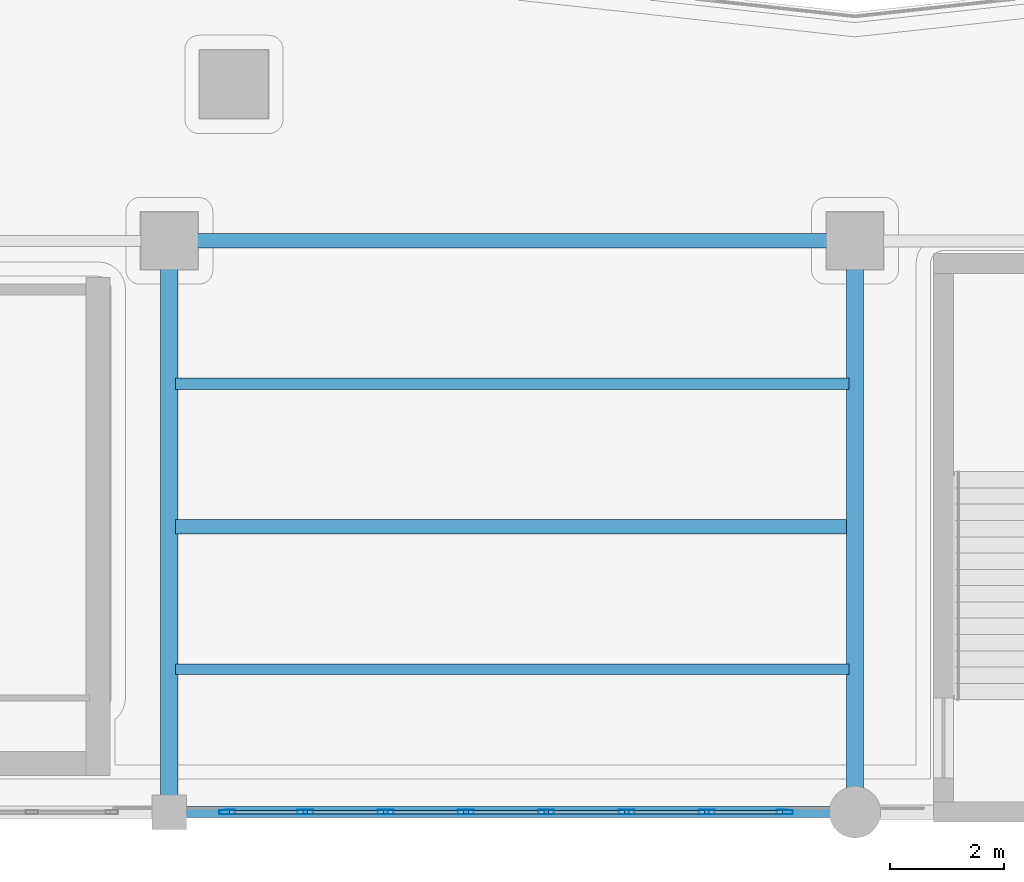
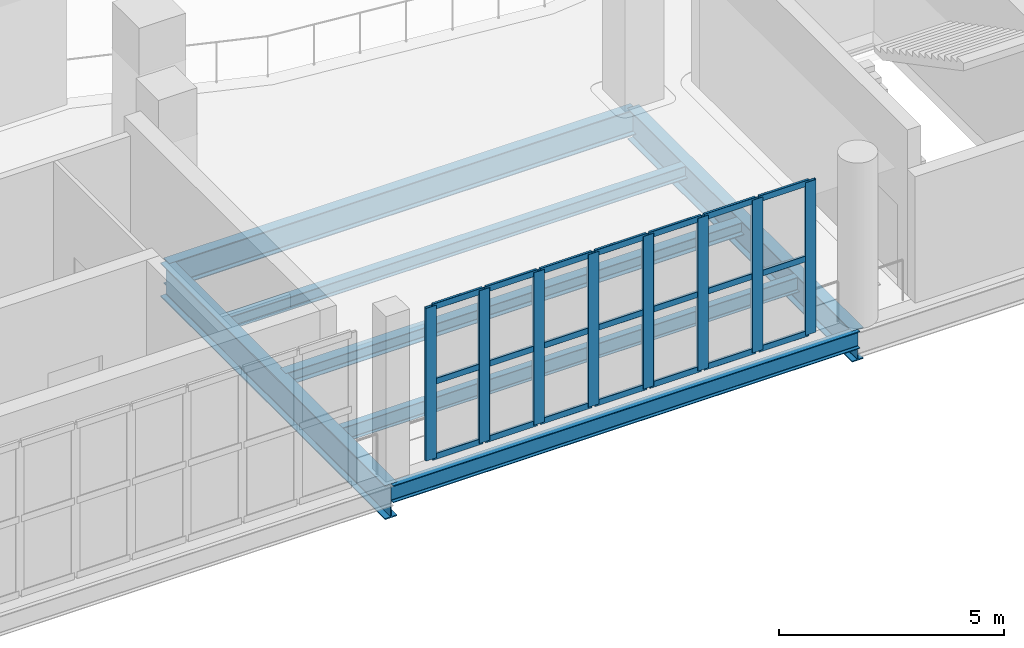
# One storey, part 32 of 108: 29 members, 7 beams, 1 element without a shape of its own.
"""IFC4 building model written with IfcOpenShell, lengths in metres."""

from ifc_helpers import new_model, si_unit, direction, frame, origin, origin_2d, place, context, subcontext, project, spatial, hollow_rectangle, i_section, extrude, material, layer, layer_set, material_profile, profile_set, type_object, element, aggregate, save


model = new_model("IFC4")

# Units and contexts
model_context = context("Model", 3, precision=1e-05, world=origin(), true_north=direction((0.0, 1.0)))
body_context = subcontext(model_context, "Body", "Model", "MODEL_VIEW")
ifc_project = project(units=[si_unit("LENGTHUNIT", "METRE"), si_unit("AREAUNIT", "SQUARE_METRE"), si_unit("VOLUMEUNIT", "CUBIC_METRE"), si_unit("PLANEANGLEUNIT", "RADIAN"), si_unit("MASSUNIT", "GRAM", prefix="KILO")], contexts=[model_context])

# Site, building, storey
site_placement = place(None, origin())
site = spatial("IfcSite", under=ifc_project, at=site_placement, CompositionType="ELEMENT")
building_placement = place(site_placement, origin())
building = spatial("IfcBuilding", under=site, at=building_placement, Name="Brinegate Civic Arena", CompositionType="ELEMENT")
storey_placement = place(building_placement, frame((0.0, 0.0, 10.199951171875)))
storey = spatial("IfcBuildingStorey", under=building, at=storey_placement, Name="L02", CompositionType="ELEMENT", Elevation=10.199951171875)

# Curtain wall, members
ifc_material_1 = material(Name="Marine grade aluminium", Category="aluminium")
ifc_layer = layer(ifc_material_1, 0.25, Name="Marine grade aluminium")
ifc_layer_set = layer_set([ifc_layer], Name="Marine grade aluminium")
curtain_wall_type = type_object("IfcCurtainWallType", Name="CW-PORTAL-SOUTH-02", PredefinedType="USERDEFINED", material=ifc_layer_set)
curtain_wall_placement = place(storey_placement, origin())
curtain_wall = element("IfcCurtainWall", 1, at=curtain_wall_placement, inside=storey, type_object=curtain_wall_type, Name="Curtain Wall CWA-099", ObjectType="PORTAL CURTAIN WALL", PredefinedType="USERDEFINED")
ifc_material_profile_1 = material_profile(ifc_material_1, hollow_rectangle(XDim=0.080078125, YDim=0.280029296875, WallThickness=0.007080078125, InnerFilletRadius=0.0048828125, OuterFilletRadius=0.010009765625, at=origin_2d()), Name="MUL80X280")
ifc_profile_set_1 = profile_set([ifc_material_profile_1], Name="Marine grade aluminium")
member_type_1 = type_object("IfcMemberType", Name="CW-MULLION-80X280", PredefinedType="MULLION", material=ifc_profile_set_1)
member_1_placement = place(storey_placement, frame((97.013916015625, 0.0, 0.0), z_axis=(0.0, 0.0, 1.0), x_axis=(0.0, 1.0, 0.0)))
member_1 = element("IfcMember", 2, at=member_1_placement, type_object=member_type_1, Name="CWA-099 mullion 1", PredefinedType="MULLION", context=body_context, shape_type="SweptSolid", body=[
    extrude(hollow_rectangle(XDim=0.080078125, YDim=0.280029296875, WallThickness=0.007080078125, InnerFilletRadius=0.0048828125, OuterFilletRadius=0.010009765625, at=origin_2d()), origin(), (0.0, 0.0, 1.0), 4.150146484375),
])
member_2_placement = place(storey_placement, frame((98.379638671875, 0.0, 0.0), z_axis=(0.0, 0.0, 1.0), x_axis=(0.0, 1.0, 0.0)))
member_2 = element("IfcMember", 3, at=member_2_placement, type_object=member_type_1, Name="CWA-099 mullion 2", PredefinedType="MULLION", context=body_context, shape_type="SweptSolid", body=[
    extrude(hollow_rectangle(XDim=0.080078125, YDim=0.280029296875, WallThickness=0.007080078125, InnerFilletRadius=0.0048828125, OuterFilletRadius=0.010009765625, at=origin_2d()), origin(), (0.0, 0.0, 1.0), 4.150146484375),
])
member_3_placement = place(storey_placement, frame((99.785400390625, 0.0, 0.0), z_axis=(0.0, 0.0, 1.0), x_axis=(0.0, 1.0, 0.0)))
member_3 = element("IfcMember", 4, at=member_3_placement, type_object=member_type_1, Name="CWA-099 mullion 3", PredefinedType="MULLION", context=body_context, shape_type="SweptSolid", body=[
    extrude(hollow_rectangle(XDim=0.080078125, YDim=0.280029296875, WallThickness=0.007080078125, InnerFilletRadius=0.0048828125, OuterFilletRadius=0.010009765625, at=origin_2d()), origin(), (0.0, 0.0, 1.0), 4.150146484375),
])
member_4_placement = place(storey_placement, frame((101.191162109375, 0.0, 0.0), z_axis=(0.0, 0.0, 1.0), x_axis=(0.0, 1.0, 0.0)))
member_4 = element("IfcMember", 5, at=member_4_placement, type_object=member_type_1, Name="CWA-099 mullion 4", PredefinedType="MULLION", context=body_context, shape_type="SweptSolid", body=[
    extrude(hollow_rectangle(XDim=0.080078125, YDim=0.280029296875, WallThickness=0.007080078125, InnerFilletRadius=0.0048828125, OuterFilletRadius=0.010009765625, at=origin_2d()), origin(), (0.0, 0.0, 1.0), 4.150146484375),
])
member_5_placement = place(storey_placement, frame((102.596923828125, 0.0, 0.0), z_axis=(0.0, 0.0, 1.0), x_axis=(0.0, 1.0, 0.0)))
member_5 = element("IfcMember", 6, at=member_5_placement, type_object=member_type_1, Name="CWA-099 mullion 5", PredefinedType="MULLION", context=body_context, shape_type="SweptSolid", body=[
    extrude(hollow_rectangle(XDim=0.080078125, YDim=0.280029296875, WallThickness=0.007080078125, InnerFilletRadius=0.0048828125, OuterFilletRadius=0.010009765625, at=origin_2d()), origin(), (0.0, 0.0, 1.0), 4.150146484375),
])
member_6_placement = place(storey_placement, frame((104.002685546875, 0.0, 0.0), z_axis=(0.0, 0.0, 1.0), x_axis=(0.0, 1.0, 0.0)))
member_6 = element("IfcMember", 7, at=member_6_placement, type_object=member_type_1, Name="CWA-099 mullion 6", PredefinedType="MULLION", context=body_context, shape_type="SweptSolid", body=[
    extrude(hollow_rectangle(XDim=0.080078125, YDim=0.280029296875, WallThickness=0.007080078125, InnerFilletRadius=0.0048828125, OuterFilletRadius=0.010009765625, at=origin_2d()), origin(), (0.0, 0.0, 1.0), 4.150146484375),
])
member_7_placement = place(storey_placement, frame((105.408203125, 0.0, 0.0), z_axis=(0.0, 0.0, 1.0), x_axis=(0.0, 1.0, 0.0)))
member_7 = element("IfcMember", 8, at=member_7_placement, type_object=member_type_1, Name="CWA-099 mullion 7", PredefinedType="MULLION", context=body_context, shape_type="SweptSolid", body=[
    extrude(hollow_rectangle(XDim=0.080078125, YDim=0.280029296875, WallThickness=0.007080078125, InnerFilletRadius=0.0048828125, OuterFilletRadius=0.010009765625, at=origin_2d()), origin(), (0.0, 0.0, 1.0), 4.150146484375),
])
member_8_placement = place(storey_placement, frame((106.77392578125, 0.0, 0.0), z_axis=(0.0, 0.0, 1.0), x_axis=(0.0, 1.0, 0.0)))
member_8 = element("IfcMember", 9, at=member_8_placement, type_object=member_type_1, Name="CWA-099 mullion 8", PredefinedType="MULLION", context=body_context, shape_type="SweptSolid", body=[
    extrude(hollow_rectangle(XDim=0.080078125, YDim=0.280029296875, WallThickness=0.007080078125, InnerFilletRadius=0.0048828125, OuterFilletRadius=0.010009765625, at=origin_2d()), origin(), (0.0, 0.0, 1.0), 4.150146484375),
])
ifc_material_profile_2 = material_profile(ifc_material_1, hollow_rectangle(XDim=0.06494140625, YDim=0.1650390625, WallThickness=0.0048828125, InnerFilletRadius=0.00390625, OuterFilletRadius=0.008056640625, at=origin_2d()), Name="TRN65X165")
ifc_profile_set_2 = profile_set([ifc_material_profile_2], Name="Marine grade aluminium")
member_type_2 = type_object("IfcMemberType", Name="CW-TRANSOM-65X165", PredefinedType="USERDEFINED", material=ifc_profile_set_2)
member_9_placement = place(storey_placement, frame((97.053955078125, 0.0, 0.032470703125), z_axis=(1.0, 0.0, 0.0), x_axis=(0.0, 1.0, 0.0)))
member_9 = element("IfcMember", 10, at=member_9_placement, type_object=member_type_2, Name="CWA-099 transom 1.1", ObjectType="TRANSOM", PredefinedType="USERDEFINED", context=body_context, shape_type="SweptSolid", body=[
    extrude(hollow_rectangle(XDim=0.06494140625, YDim=0.1650390625, WallThickness=0.0048828125, InnerFilletRadius=0.00390625, OuterFilletRadius=0.008056640625, at=origin_2d()), origin(), (0.0, 0.0, 1.0), 1.28564453125),
])
member_10_placement = place(storey_placement, frame((97.053955078125, 0.0, 2.074951171875), z_axis=(1.0, 0.0, 0.0), x_axis=(0.0, 1.0, 0.0)))
member_10 = element("IfcMember", 11, at=member_10_placement, type_object=member_type_2, Name="CWA-099 transom 1.2", ObjectType="TRANSOM", PredefinedType="USERDEFINED", context=body_context, shape_type="SweptSolid", body=[
    extrude(hollow_rectangle(XDim=0.06494140625, YDim=0.1650390625, WallThickness=0.0048828125, InnerFilletRadius=0.00390625, OuterFilletRadius=0.008056640625, at=origin_2d()), origin(), (0.0, 0.0, 1.0), 1.28564453125),
])
member_11_placement = place(storey_placement, frame((97.053955078125, 0.0, 4.117431640625), z_axis=(1.0, 0.0, 0.0), x_axis=(0.0, 1.0, 0.0)))
member_11 = element("IfcMember", 12, at=member_11_placement, type_object=member_type_2, Name="CWA-099 transom 1.3", ObjectType="TRANSOM", PredefinedType="USERDEFINED", context=body_context, shape_type="SweptSolid", body=[
    extrude(hollow_rectangle(XDim=0.06494140625, YDim=0.1650390625, WallThickness=0.0048828125, InnerFilletRadius=0.00390625, OuterFilletRadius=0.008056640625, at=origin_2d()), origin(), (0.0, 0.0, 1.0), 1.28564453125),
])
member_12_placement = place(storey_placement, frame((98.419677734375, 0.0, 0.032470703125), z_axis=(1.0, 0.0, 0.0), x_axis=(0.0, 1.0, 0.0)))
member_12 = element("IfcMember", 13, at=member_12_placement, type_object=member_type_2, Name="CWA-099 transom 2.1", ObjectType="TRANSOM", PredefinedType="USERDEFINED", context=body_context, shape_type="SweptSolid", body=[
    extrude(hollow_rectangle(XDim=0.06494140625, YDim=0.1650390625, WallThickness=0.0048828125, InnerFilletRadius=0.00390625, OuterFilletRadius=0.008056640625, at=origin_2d()), origin(), (0.0, 0.0, 1.0), 1.32568359375),
])
member_13_placement = place(storey_placement, frame((98.419677734375, 0.0, 2.074951171875), z_axis=(1.0, 0.0, 0.0), x_axis=(0.0, 1.0, 0.0)))
member_13 = element("IfcMember", 14, at=member_13_placement, type_object=member_type_2, Name="CWA-099 transom 2.2", ObjectType="TRANSOM", PredefinedType="USERDEFINED", context=body_context, shape_type="SweptSolid", body=[
    extrude(hollow_rectangle(XDim=0.06494140625, YDim=0.1650390625, WallThickness=0.0048828125, InnerFilletRadius=0.00390625, OuterFilletRadius=0.008056640625, at=origin_2d()), origin(), (0.0, 0.0, 1.0), 1.32568359375),
])
member_14_placement = place(storey_placement, frame((98.419677734375, 0.0, 4.117431640625), z_axis=(1.0, 0.0, 0.0), x_axis=(0.0, 1.0, 0.0)))
member_14 = element("IfcMember", 15, at=member_14_placement, type_object=member_type_2, Name="CWA-099 transom 2.3", ObjectType="TRANSOM", PredefinedType="USERDEFINED", context=body_context, shape_type="SweptSolid", body=[
    extrude(hollow_rectangle(XDim=0.06494140625, YDim=0.1650390625, WallThickness=0.0048828125, InnerFilletRadius=0.00390625, OuterFilletRadius=0.008056640625, at=origin_2d()), origin(), (0.0, 0.0, 1.0), 1.32568359375),
])
member_15_placement = place(storey_placement, frame((99.825439453125, 0.0, 0.032470703125), z_axis=(1.0, 0.0, 0.0), x_axis=(0.0, 1.0, 0.0)))
member_15 = element("IfcMember", 16, at=member_15_placement, type_object=member_type_2, Name="CWA-099 transom 3.1", ObjectType="TRANSOM", PredefinedType="USERDEFINED", context=body_context, shape_type="SweptSolid", body=[
    extrude(hollow_rectangle(XDim=0.06494140625, YDim=0.1650390625, WallThickness=0.0048828125, InnerFilletRadius=0.00390625, OuterFilletRadius=0.008056640625, at=origin_2d()), origin(), (0.0, 0.0, 1.0), 1.32568359375),
])
member_16_placement = place(storey_placement, frame((99.825439453125, 0.0, 2.074951171875), z_axis=(1.0, 0.0, 0.0), x_axis=(0.0, 1.0, 0.0)))
member_16 = element("IfcMember", 17, at=member_16_placement, type_object=member_type_2, Name="CWA-099 transom 3.2", ObjectType="TRANSOM", PredefinedType="USERDEFINED", context=body_context, shape_type="SweptSolid", body=[
    extrude(hollow_rectangle(XDim=0.06494140625, YDim=0.1650390625, WallThickness=0.0048828125, InnerFilletRadius=0.00390625, OuterFilletRadius=0.008056640625, at=origin_2d()), origin(), (0.0, 0.0, 1.0), 1.32568359375),
])
member_17_placement = place(storey_placement, frame((99.825439453125, 0.0, 4.117431640625), z_axis=(1.0, 0.0, 0.0), x_axis=(0.0, 1.0, 0.0)))
member_17 = element("IfcMember", 18, at=member_17_placement, type_object=member_type_2, Name="CWA-099 transom 3.3", ObjectType="TRANSOM", PredefinedType="USERDEFINED", context=body_context, shape_type="SweptSolid", body=[
    extrude(hollow_rectangle(XDim=0.06494140625, YDim=0.1650390625, WallThickness=0.0048828125, InnerFilletRadius=0.00390625, OuterFilletRadius=0.008056640625, at=origin_2d()), origin(), (0.0, 0.0, 1.0), 1.32568359375),
])
member_18_placement = place(storey_placement, frame((101.231201171875, 0.0, 0.032470703125), z_axis=(1.0, 0.0, 0.0), x_axis=(0.0, 1.0, 0.0)))
member_18 = element("IfcMember", 19, at=member_18_placement, type_object=member_type_2, Name="CWA-099 transom 4.1", ObjectType="TRANSOM", PredefinedType="USERDEFINED", context=body_context, shape_type="SweptSolid", body=[
    extrude(hollow_rectangle(XDim=0.06494140625, YDim=0.1650390625, WallThickness=0.0048828125, InnerFilletRadius=0.00390625, OuterFilletRadius=0.008056640625, at=origin_2d()), origin(), (0.0, 0.0, 1.0), 1.32568359375),
])
member_19_placement = place(storey_placement, frame((101.231201171875, 0.0, 2.074951171875), z_axis=(1.0, 0.0, 0.0), x_axis=(0.0, 1.0, 0.0)))
member_19 = element("IfcMember", 20, at=member_19_placement, type_object=member_type_2, Name="CWA-099 transom 4.2", ObjectType="TRANSOM", PredefinedType="USERDEFINED", context=body_context, shape_type="SweptSolid", body=[
    extrude(hollow_rectangle(XDim=0.06494140625, YDim=0.1650390625, WallThickness=0.0048828125, InnerFilletRadius=0.00390625, OuterFilletRadius=0.008056640625, at=origin_2d()), origin(), (0.0, 0.0, 1.0), 1.32568359375),
])
member_20_placement = place(storey_placement, frame((101.231201171875, 0.0, 4.117431640625), z_axis=(1.0, 0.0, 0.0), x_axis=(0.0, 1.0, 0.0)))
member_20 = element("IfcMember", 21, at=member_20_placement, type_object=member_type_2, Name="CWA-099 transom 4.3", ObjectType="TRANSOM", PredefinedType="USERDEFINED", context=body_context, shape_type="SweptSolid", body=[
    extrude(hollow_rectangle(XDim=0.06494140625, YDim=0.1650390625, WallThickness=0.0048828125, InnerFilletRadius=0.00390625, OuterFilletRadius=0.008056640625, at=origin_2d()), origin(), (0.0, 0.0, 1.0), 1.32568359375),
])
member_21_placement = place(storey_placement, frame((102.636962890625, 0.0, 0.032470703125), z_axis=(1.0, 0.0, 0.0), x_axis=(0.0, 1.0, 0.0)))
member_21 = element("IfcMember", 22, at=member_21_placement, type_object=member_type_2, Name="CWA-099 transom 5.1", ObjectType="TRANSOM", PredefinedType="USERDEFINED", context=body_context, shape_type="SweptSolid", body=[
    extrude(hollow_rectangle(XDim=0.06494140625, YDim=0.1650390625, WallThickness=0.0048828125, InnerFilletRadius=0.00390625, OuterFilletRadius=0.008056640625, at=origin_2d()), origin(), (0.0, 0.0, 1.0), 1.32568359375),
])
member_22_placement = place(storey_placement, frame((102.636962890625, 0.0, 2.074951171875), z_axis=(1.0, 0.0, 0.0), x_axis=(0.0, 1.0, 0.0)))
member_22 = element("IfcMember", 23, at=member_22_placement, type_object=member_type_2, Name="CWA-099 transom 5.2", ObjectType="TRANSOM", PredefinedType="USERDEFINED", context=body_context, shape_type="SweptSolid", body=[
    extrude(hollow_rectangle(XDim=0.06494140625, YDim=0.1650390625, WallThickness=0.0048828125, InnerFilletRadius=0.00390625, OuterFilletRadius=0.008056640625, at=origin_2d()), origin(), (0.0, 0.0, 1.0), 1.32568359375),
])
member_23_placement = place(storey_placement, frame((102.636962890625, 0.0, 4.117431640625), z_axis=(1.0, 0.0, 0.0), x_axis=(0.0, 1.0, 0.0)))
member_23 = element("IfcMember", 24, at=member_23_placement, type_object=member_type_2, Name="CWA-099 transom 5.3", ObjectType="TRANSOM", PredefinedType="USERDEFINED", context=body_context, shape_type="SweptSolid", body=[
    extrude(hollow_rectangle(XDim=0.06494140625, YDim=0.1650390625, WallThickness=0.0048828125, InnerFilletRadius=0.00390625, OuterFilletRadius=0.008056640625, at=origin_2d()), origin(), (0.0, 0.0, 1.0), 1.32568359375),
])
member_24_placement = place(storey_placement, frame((104.04248046875, 0.0, 0.032470703125), z_axis=(1.0, 0.0, 0.0), x_axis=(0.0, 1.0, 0.0)))
member_24 = element("IfcMember", 25, at=member_24_placement, type_object=member_type_2, Name="CWA-099 transom 6.1", ObjectType="TRANSOM", PredefinedType="USERDEFINED", context=body_context, shape_type="SweptSolid", body=[
    extrude(hollow_rectangle(XDim=0.06494140625, YDim=0.1650390625, WallThickness=0.0048828125, InnerFilletRadius=0.00390625, OuterFilletRadius=0.008056640625, at=origin_2d()), origin(), (0.0, 0.0, 1.0), 1.32568359375),
])
member_25_placement = place(storey_placement, frame((104.04248046875, 0.0, 2.074951171875), z_axis=(1.0, 0.0, 0.0), x_axis=(0.0, 1.0, 0.0)))
member_25 = element("IfcMember", 26, at=member_25_placement, type_object=member_type_2, Name="CWA-099 transom 6.2", ObjectType="TRANSOM", PredefinedType="USERDEFINED", context=body_context, shape_type="SweptSolid", body=[
    extrude(hollow_rectangle(XDim=0.06494140625, YDim=0.1650390625, WallThickness=0.0048828125, InnerFilletRadius=0.00390625, OuterFilletRadius=0.008056640625, at=origin_2d()), origin(), (0.0, 0.0, 1.0), 1.32568359375),
])
member_26_placement = place(storey_placement, frame((104.04248046875, 0.0, 4.117431640625), z_axis=(1.0, 0.0, 0.0), x_axis=(0.0, 1.0, 0.0)))
member_26 = element("IfcMember", 27, at=member_26_placement, type_object=member_type_2, Name="CWA-099 transom 6.3", ObjectType="TRANSOM", PredefinedType="USERDEFINED", context=body_context, shape_type="SweptSolid", body=[
    extrude(hollow_rectangle(XDim=0.06494140625, YDim=0.1650390625, WallThickness=0.0048828125, InnerFilletRadius=0.00390625, OuterFilletRadius=0.008056640625, at=origin_2d()), origin(), (0.0, 0.0, 1.0), 1.32568359375),
])
member_27_placement = place(storey_placement, frame((105.4482421875, 0.0, 0.032470703125), z_axis=(1.0, 0.0, 0.0), x_axis=(0.0, 1.0, 0.0)))
member_27 = element("IfcMember", 28, at=member_27_placement, type_object=member_type_2, Name="CWA-099 transom 7.1", ObjectType="TRANSOM", PredefinedType="USERDEFINED", context=body_context, shape_type="SweptSolid", body=[
    extrude(hollow_rectangle(XDim=0.06494140625, YDim=0.1650390625, WallThickness=0.0048828125, InnerFilletRadius=0.00390625, OuterFilletRadius=0.008056640625, at=origin_2d()), origin(), (0.0, 0.0, 1.0), 1.28564453125),
])
member_28_placement = place(storey_placement, frame((105.4482421875, 0.0, 2.074951171875), z_axis=(1.0, 0.0, 0.0), x_axis=(0.0, 1.0, 0.0)))
member_28 = element("IfcMember", 29, at=member_28_placement, type_object=member_type_2, Name="CWA-099 transom 7.2", ObjectType="TRANSOM", PredefinedType="USERDEFINED", context=body_context, shape_type="SweptSolid", body=[
    extrude(hollow_rectangle(XDim=0.06494140625, YDim=0.1650390625, WallThickness=0.0048828125, InnerFilletRadius=0.00390625, OuterFilletRadius=0.008056640625, at=origin_2d()), origin(), (0.0, 0.0, 1.0), 1.28564453125),
])
member_29_placement = place(storey_placement, frame((105.4482421875, 0.0, 4.117431640625), z_axis=(1.0, 0.0, 0.0), x_axis=(0.0, 1.0, 0.0)))
member_29 = element("IfcMember", 30, at=member_29_placement, type_object=member_type_2, Name="CWA-099 transom 7.3", ObjectType="TRANSOM", PredefinedType="USERDEFINED", context=body_context, shape_type="SweptSolid", body=[
    extrude(hollow_rectangle(XDim=0.06494140625, YDim=0.1650390625, WallThickness=0.0048828125, InnerFilletRadius=0.00390625, OuterFilletRadius=0.008056640625, at=origin_2d()), origin(), (0.0, 0.0, 1.0), 1.28564453125),
])
aggregate(curtain_wall, [member_1, member_2, member_3, member_4, member_5, member_6, member_7, member_8, member_9, member_10, member_11, member_12, member_13, member_14, member_15, member_16, member_17, member_18, member_19, member_20, member_21, member_22, member_23, member_24, member_25, member_26, member_27, member_28, member_29])

# Beams
ifc_material_2 = material(Name="Steel S355", Category="steel")
ifc_material_profile_3 = material_profile(ifc_material_2, i_section(OverallWidth=0.2939453125, OverallDepth=0.85107421875, WebThickness=0.01611328125, FlangeThickness=0.027099609375, FilletRadius=0.02197265625, at=origin_2d()), Name="W840X226")
ifc_profile_set_3 = profile_set([ifc_material_profile_3], Name="Steel S355")
beam_type_1 = type_object("IfcBeamType", Name="GIRDER-W840X226", PredefinedType="BEAM", material=ifc_profile_set_3)
beam_1_placement = place(storey_placement, frame((108.0, 0.0, -0.7548828125), z_axis=(0.0, 1.0, 0.0), x_axis=(-1.0, 0.0, 0.0)))
element("IfcBeam", 31, at=beam_1_placement, inside=storey, type_object=beam_type_1, Name="Floor Girder BM-L02-GY-09-00", PredefinedType="BEAM", context=body_context, shape_type="SweptSolid", body=[
    extrude(i_section(OverallWidth=0.2939453125, OverallDepth=0.85107421875, WebThickness=0.01611328125, FlangeThickness=0.027099609375, FilletRadius=0.02197265625, at=origin_2d()), origin(), (0.0, 0.0, 1.0), 10.0),
])
ifc_material_profile_4 = material_profile(ifc_material_2, i_section(OverallWidth=0.30810546875, OverallDepth=0.927001953125, WebThickness=0.01904296875, FlangeThickness=0.031982421875, FilletRadius=0.02392578125, at=origin_2d()), Name="W920X289")
ifc_profile_set_4 = profile_set([ifc_material_profile_4], Name="Steel S355")
beam_type_2 = type_object("IfcBeamType", Name="GIRDER-W920X289", PredefinedType="BEAM", material=ifc_profile_set_4)
beam_2_placement = place(storey_placement, frame((96.0, 0.0, -0.79296875), z_axis=(0.0, 1.0, 0.0), x_axis=(-1.0, 0.0, 0.0)))
element("IfcBeam", 32, at=beam_2_placement, inside=storey, type_object=beam_type_2, Name="Floor Girder BM-L02-GY-08-00", PredefinedType="BEAM", context=body_context, shape_type="SweptSolid", body=[
    extrude(i_section(OverallWidth=0.30810546875, OverallDepth=0.927001953125, WebThickness=0.01904296875, FlangeThickness=0.031982421875, FilletRadius=0.02392578125, at=origin_2d()), origin(), (0.0, 0.0, 1.0), 10.0),
])
ifc_material_profile_5 = material_profile(ifc_material_2, i_section(OverallWidth=0.205078125, OverallDepth=0.35400390625, WebThickness=0.009033203125, FlangeThickness=0.01708984375, FilletRadius=0.013916015625, at=origin_2d()), Name="W360X79")
ifc_profile_set_5 = profile_set([ifc_material_profile_5], Name="Steel S355")
beam_type_3 = type_object("IfcBeamType", Name="JOIST-W360X79", PredefinedType="JOIST", material=ifc_profile_set_5)
beam_3_placement = place(storey_placement, frame((96.10595703125, 7.5, -0.5068359375), z_axis=(1.0, 0.0, 0.0), x_axis=(0.0, 1.0, 0.0)))
element("IfcBeam", 33, at=beam_3_placement, inside=storey, type_object=beam_type_3, Name="Secondary Joist BM-L02-JX-08-00-3", PredefinedType="JOIST", context=body_context, shape_type="SweptSolid", body=[
    extrude(i_section(OverallWidth=0.205078125, OverallDepth=0.35400390625, WebThickness=0.009033203125, FlangeThickness=0.01708984375, FilletRadius=0.013916015625, at=origin_2d()), origin(), (0.0, 0.0, 1.0), 11.7880859375),
])
ifc_material_profile_6 = material_profile(ifc_material_2, i_section(OverallWidth=0.25390625, OverallDepth=0.35302734375, WebThickness=0.010009765625, FlangeThickness=0.01611328125, FilletRadius=0.013916015625, at=origin_2d()), Name="W360X91")
ifc_profile_set_6 = profile_set([ifc_material_profile_6], Name="Steel S355")
beam_type_4 = type_object("IfcBeamType", Name="JOIST-W360X91", PredefinedType="JOIST", material=ifc_profile_set_6)
beam_4_placement = place(storey_placement, frame((96.10595703125, 5.0, -0.505859375), z_axis=(1.0, 0.0, 0.0), x_axis=(0.0, 1.0, 0.0)))
element("IfcBeam", 34, at=beam_4_placement, inside=storey, type_object=beam_type_4, Name="Secondary Joist BM-L02-JX-08-00-2", PredefinedType="JOIST", context=body_context, shape_type="SweptSolid", body=[
    extrude(i_section(OverallWidth=0.25390625, OverallDepth=0.35302734375, WebThickness=0.010009765625, FlangeThickness=0.01611328125, FilletRadius=0.013916015625, at=origin_2d()), origin(), (0.0, 0.0, 1.0), 11.7880859375),
])
ifc_material_profile_7 = material_profile(ifc_material_2, i_section(OverallWidth=0.178955078125, OverallDepth=0.409912109375, WebThickness=0.009033203125, FlangeThickness=0.013916015625, FilletRadius=0.013916015625, at=origin_2d()), Name="W410X67")
ifc_profile_set_7 = profile_set([ifc_material_profile_7], Name="Steel S355")
beam_type_5 = type_object("IfcBeamType", Name="JOIST-W410X67", PredefinedType="JOIST", material=ifc_profile_set_7)
beam_5_placement = place(storey_placement, frame((96.10595703125, 2.5, -0.534912109375), z_axis=(1.0, 0.0, 0.0), x_axis=(0.0, 1.0, 0.0)))
element("IfcBeam", 35, at=beam_5_placement, inside=storey, type_object=beam_type_5, Name="Secondary Joist BM-L02-JX-08-00-1", PredefinedType="JOIST", context=body_context, shape_type="SweptSolid", body=[
    extrude(i_section(OverallWidth=0.178955078125, OverallDepth=0.409912109375, WebThickness=0.009033203125, FlangeThickness=0.013916015625, FilletRadius=0.013916015625, at=origin_2d()), origin(), (0.0, 0.0, 1.0), 11.7880859375),
])
ifc_material_profile_8 = material_profile(ifc_material_2, i_section(OverallWidth=0.193115234375, OverallDepth=0.466064453125, WebThickness=0.010986328125, FlangeThickness=0.01904296875, FilletRadius=0.014892578125, at=origin_2d()), Name="W460X97")
ifc_profile_set_8 = profile_set([ifc_material_profile_8], Name="Steel S355")
beam_type_6 = type_object("IfcBeamType", Name="SPANDREL-W460X97", PredefinedType="SPANDREL", material=ifc_profile_set_8)
beam_6_placement = place(storey_placement, frame((96.0, 0.0, -0.56298828125), z_axis=(1.0, 0.0, 0.0), x_axis=(0.0, 1.0, 0.0)))
element("IfcBeam", 36, at=beam_6_placement, inside=storey, type_object=beam_type_6, Name="Floor Girder BM-L02-GX-08-00", PredefinedType="SPANDREL", context=body_context, shape_type="SweptSolid", body=[
    extrude(i_section(OverallWidth=0.193115234375, OverallDepth=0.466064453125, WebThickness=0.010986328125, FlangeThickness=0.01904296875, FilletRadius=0.014892578125, at=origin_2d()), origin(), (0.0, 0.0, 1.0), 12.0),
])
ifc_material_profile_9 = material_profile(ifc_material_2, i_section(OverallWidth=0.256103515625, OverallDepth=0.693115234375, WebThickness=0.014892578125, FlangeThickness=0.02392578125, FilletRadius=0.01806640625, at=origin_2d()), Name="W690X170")
ifc_profile_set_9 = profile_set([ifc_material_profile_9], Name="Steel S355")
beam_type_7 = type_object("IfcBeamType", Name="SPANDREL-W690X170", PredefinedType="SPANDREL", material=ifc_profile_set_9)
beam_7_placement = place(storey_placement, frame((96.0, 10.0, -0.676025390625), z_axis=(1.0, 0.0, 0.0), x_axis=(0.0, 1.0, 0.0)))
element("IfcBeam", 37, at=beam_7_placement, inside=storey, type_object=beam_type_7, Name="Floor Girder BM-L02-GX-08-01", PredefinedType="SPANDREL", context=body_context, shape_type="SweptSolid", body=[
    extrude(i_section(OverallWidth=0.256103515625, OverallDepth=0.693115234375, WebThickness=0.014892578125, FlangeThickness=0.02392578125, FilletRadius=0.01806640625, at=origin_2d()), origin(), (0.0, 0.0, 1.0), 12.0),
])

save(model, "model.ifc")
